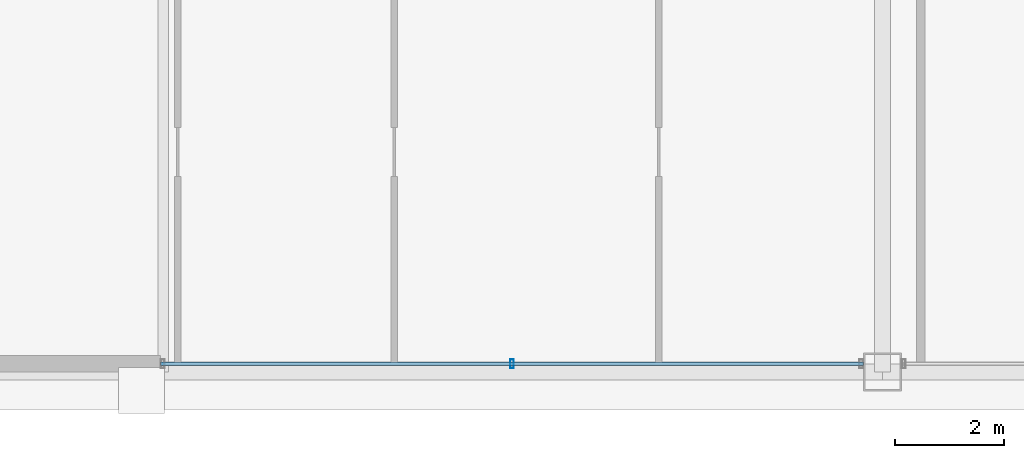
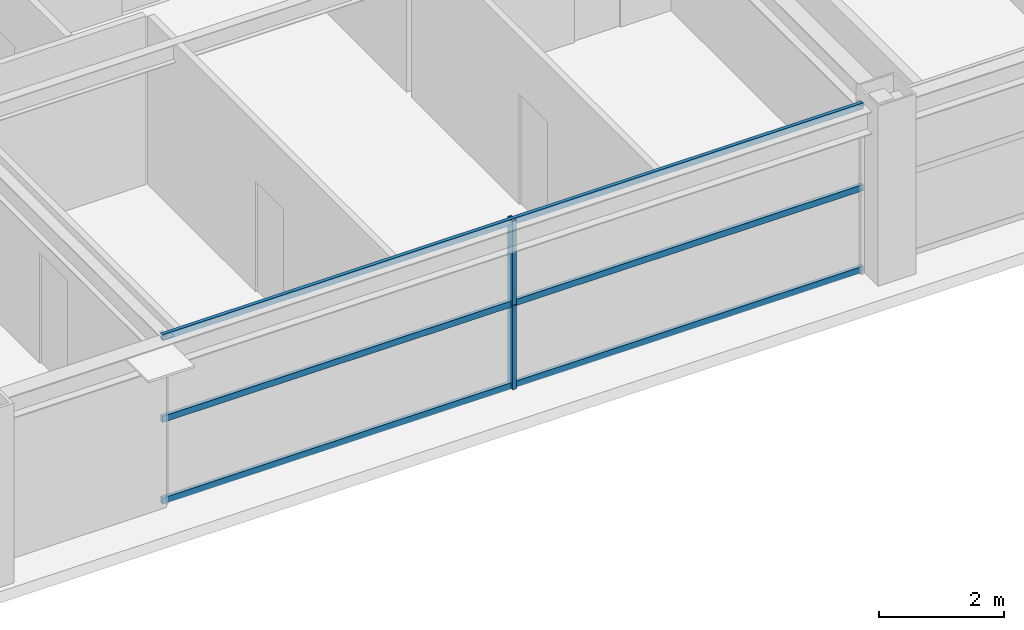
# One storey, part 5 of 36: 5 members, 1 element without a shape of its own.
"""IFC4 building model written with IfcOpenShell, lengths in metres."""

from ifc_helpers import new_model, si_unit, direction, frame, origin, origin_2d, place, context, subcontext, project, spatial, hollow_rectangle, extrude, source, transform, mapped, material, layer, layer_set, material_profile, profile_set, type_object, element, aggregate, save


model = new_model("IFC4")

# Units and contexts
model_context = context("Model", 3, precision=1e-05, world=origin(), true_north=direction((0.0, 1.0)))
body_context = subcontext(model_context, "Body", "Model", "MODEL_VIEW")
ifc_project = project(units=[si_unit("LENGTHUNIT", "METRE"), si_unit("AREAUNIT", "SQUARE_METRE"), si_unit("VOLUMEUNIT", "CUBIC_METRE"), si_unit("PLANEANGLEUNIT", "RADIAN"), si_unit("MASSUNIT", "GRAM", prefix="KILO"), si_unit("THERMODYNAMICTEMPERATUREUNIT", "KELVIN"), si_unit("POWERUNIT", "WATT")], contexts=[model_context])

# Site, building, storey
site_placement = place(None, origin())
site = spatial("IfcSite", under=ifc_project, at=site_placement, CompositionType="ELEMENT")
building_placement = place(site_placement, origin())
building = spatial("IfcBuilding", under=site, at=building_placement, Name="Yuzanri Waterfront Tower", CompositionType="ELEMENT")
storey_placement = place(building_placement, frame((0.0, 0.0, 231.10009765625)))
storey = spatial("IfcBuildingStorey", under=building, at=storey_placement, Name="L61", CompositionType="ELEMENT", Elevation=231.10009765625)

# Curtain wall, members
ifc_material_1 = material(Name="Anodized Architectural Bronze", Category="metal")
ifc_layer = layer(ifc_material_1, 0.159912109375)
ifc_layer_set = layer_set([ifc_layer], Name="Anodized Architectural Bronze")
curtain_wall_type = type_object("IfcCurtainWallType", Name="Anodized Bronze Mid-Rise Residential Acoustic Unitized Curtain Wall 7200", PredefinedType="NOTDEFINED", material=ifc_layer_set)
curtain_wall_placement = place(storey_placement, origin())
curtain_wall = element("IfcCurtainWall", 1, at=curtain_wall_placement, inside=storey, type_object=curtain_wall_type, Name="L61 Curtain Wall CW-L61-SL", PredefinedType="NOTDEFINED")
ifc_material_2 = material(Name="Anodized Architectural Bronze", Category="metal")
ifc_material_profile_1 = material_profile(ifc_material_2, hollow_rectangle(XDim=0.06494140625, YDim=0.159912109375, WallThickness=0.00341796875, at=origin_2d()), Name="CWM 65x160")
ifc_profile_set_1 = profile_set([ifc_material_profile_1], Name="Anodized Architectural Bronze")
member_type_1 = type_object("IfcMemberType", Name="Anodized Bronze Upper-Zone Curtain-Wall Mullion 65x160", PredefinedType="MULLION", material=ifc_profile_set_1)
shared_shape_1 = source(origin(), body_context, "Body", "SweptSolid", [
    extrude(hollow_rectangle(XDim=0.06494140625, YDim=0.159912109375, WallThickness=0.00341796875, at=origin_2d()), origin(), (0.0, 0.0, 1.0), 1.637939453125),
])
member_1_placement = place(storey_placement, frame((30.199951171875, 5.35009765625, 0.0), z_axis=(0.0, 0.0, 1.0), x_axis=(1.0, 0.0, 0.0)))
member_1 = element("IfcMember", 2, at=member_1_placement, type_object=member_type_1, Name="CW-L61-SL Lower Mullion 01", PredefinedType="MULLION", context=body_context, shape_type="MappedRepresentation", body=[
    mapped(shared_shape_1, transform((0.0, 0.0, 0.0), scale=1.0)),
])
member_2_placement = place(storey_placement, frame((30.199951171875, 5.35009765625, 1.641845703125), z_axis=(0.0, 0.0, 1.0), x_axis=(1.0, 0.0, 0.0)))
member_2 = element("IfcMember", 3, at=member_2_placement, type_object=member_type_1, Name="CW-L61-SL Upper Mullion 01", PredefinedType="MULLION", context=body_context, shape_type="MappedRepresentation", body=[
    mapped(shared_shape_1, transform((0.0, 0.0, 0.0), scale=1.0)),
])
ifc_material_3 = material(Name="Anodized Architectural Bronze", Category="metal")
ifc_material_profile_2 = material_profile(ifc_material_3, hollow_rectangle(XDim=0.06494140625, YDim=0.1201171875, WallThickness=0.00341796875, at=origin_2d()), Name="CWT 65x120")
ifc_profile_set_2 = profile_set([ifc_material_profile_2], Name="Anodized Architectural Bronze")
member_type_2 = type_object("IfcMemberType", Name="Anodized Bronze Secondary Curtain-Wall Transom 65x120", PredefinedType="USERDEFINED", material=ifc_profile_set_2)
shared_shape_2 = source(origin(), body_context, "Body", "SweptSolid", [
    extrude(hollow_rectangle(XDim=0.06494140625, YDim=0.1201171875, WallThickness=0.00341796875, at=origin_2d()), origin(), (0.0, 0.0, 1.0), 12.89990234375),
])
member_3_placement = place(storey_placement, frame((23.75, 5.35009765625, 0.0498046875), z_axis=(1.0, 0.0, 0.0), x_axis=(0.0, 1.0, 0.0)))
member_3 = element("IfcMember", 4, at=member_3_placement, type_object=member_type_2, Name="CW-L61-SL Transom 1", ObjectType="TRANSOM", PredefinedType="USERDEFINED", context=body_context, shape_type="MappedRepresentation", body=[
    mapped(shared_shape_2, transform((0.0, 0.0, 0.0), scale=1.0)),
])
member_4_placement = place(storey_placement, frame((23.75, 5.35009765625, 1.639892578125), z_axis=(1.0, 0.0, 0.0), x_axis=(0.0, 1.0, 0.0)))
member_4 = element("IfcMember", 5, at=member_4_placement, type_object=member_type_2, Name="CW-L61-SL Transom 2", ObjectType="TRANSOM", PredefinedType="USERDEFINED", context=body_context, shape_type="MappedRepresentation", body=[
    mapped(shared_shape_2, transform((0.0, 0.0, 0.0), scale=1.0)),
])
member_5_placement = place(storey_placement, frame((23.75, 5.35009765625, 3.22998046875), z_axis=(1.0, 0.0, 0.0), x_axis=(0.0, 1.0, 0.0)))
member_5 = element("IfcMember", 6, at=member_5_placement, type_object=member_type_2, Name="CW-L61-SL Transom 3", ObjectType="TRANSOM", PredefinedType="USERDEFINED", context=body_context, shape_type="MappedRepresentation", body=[
    mapped(shared_shape_2, transform((0.0, 0.0, 0.0), scale=1.0)),
])
aggregate(curtain_wall, [member_1, member_2, member_3, member_4, member_5])

save(model, "model.ifc")
